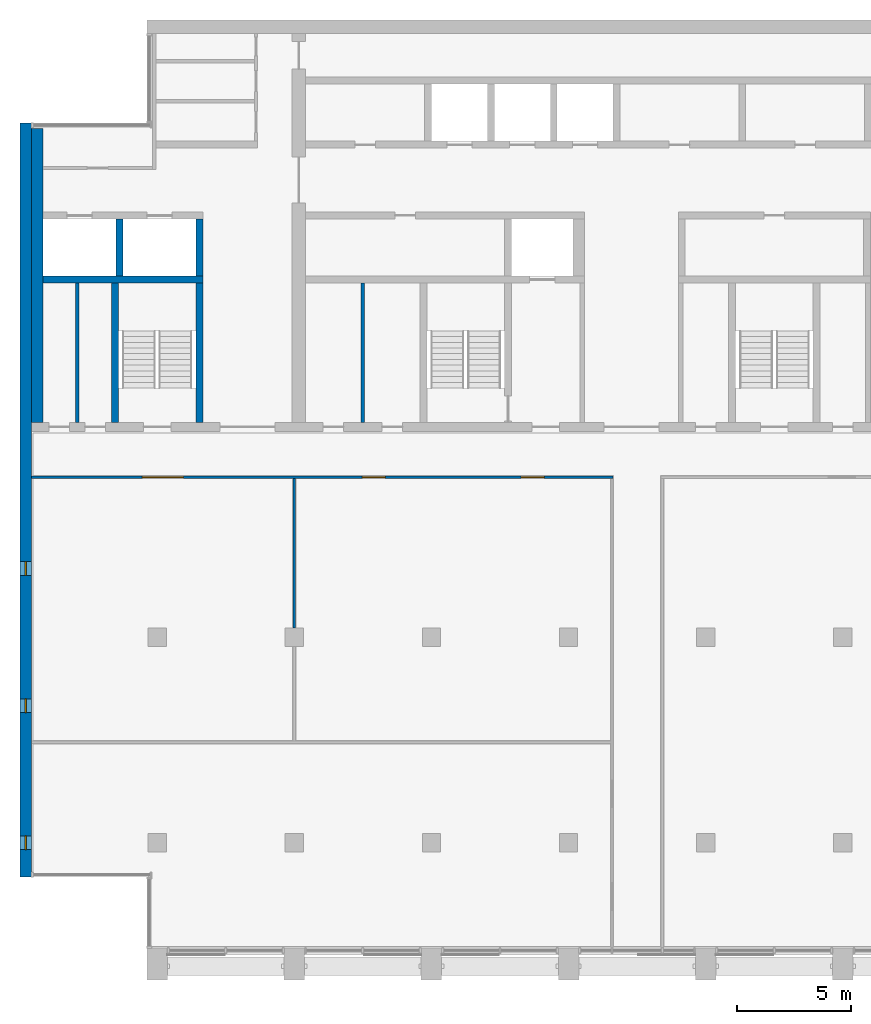
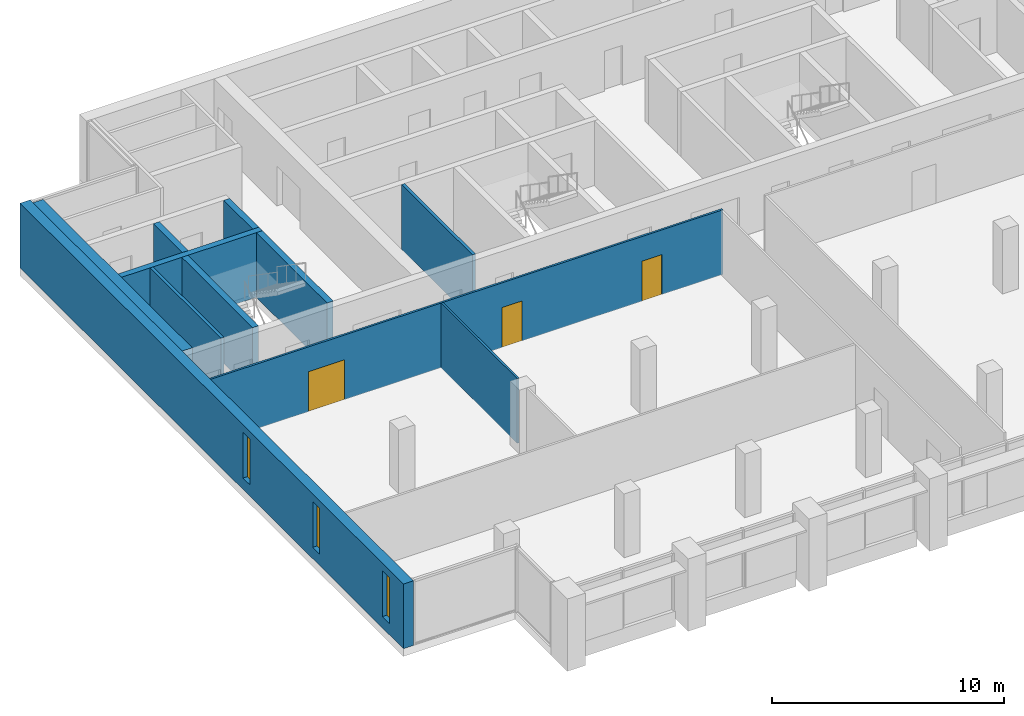
# One storey, part 7 of 14: 11 walls, 3 doors, 3 windows, 6 openings.
"""IFC4 building model written with IfcOpenShell, lengths in metres."""

from ifc_helpers import new_model, si_unit, direction, frame, frame_2d, origin, place, context, subcontext, project, spatial, rectangle, extrude, material, layer, layer_set, type_object, element, fill, save


model = new_model("IFC4")

# Units and contexts
model_context = context("Model", 3, precision=1e-05, world=origin(), true_north=direction((0.0, 1.0)))
body_context = subcontext(model_context, "Body", "Model", "MODEL_VIEW")
ifc_project = project(units=[si_unit("LENGTHUNIT", "METRE"), si_unit("AREAUNIT", "SQUARE_METRE"), si_unit("VOLUMEUNIT", "CUBIC_METRE"), si_unit("PLANEANGLEUNIT", "RADIAN"), si_unit("MASSUNIT", "GRAM", prefix="KILO")], contexts=[model_context])

# Site, building, storey
site_placement = place(None, origin())
site = spatial("IfcSite", under=ifc_project, at=site_placement, CompositionType="ELEMENT")
building_placement = place(site_placement, origin())
building = spatial("IfcBuilding", under=site, at=building_placement, Name="Calvaro Tower", CompositionType="ELEMENT")
storey_placement = place(building_placement, frame((0.0, 0.0, 254.550048828125)))
storey = spatial("IfcBuildingStorey", under=building, at=storey_placement, Name="L64", CompositionType="ELEMENT", Elevation=254.550048828125)

# Walls
ifc_material_1 = material(Name="Blockwork partition", Category="masonry")
ifc_layer_1 = layer(ifc_material_1, 0.14990234375)
ifc_layer_set_1 = layer_set([ifc_layer_1], Name="Blockwork partition")
wall_type_1 = type_object("IfcWallType", Name="Core partition 150 EI 60", PredefinedType="PARTITIONING", material=ifc_layer_set_1)
wall_1_placement = place(storey_placement, frame((21.0, 28.39990234375, 0.0), z_axis=(0.0, 0.0, 1.0), x_axis=(0.0, 1.0, 0.0)))
element("IfcWall", 1, at=wall_1_placement, inside=storey, type_object=wall_type_1, Name="Core partition", PredefinedType="PARTITIONING", context=body_context, shape_type="SweptSolid", body=[
    extrude(rectangle(XDim=6.10009765625, YDim=0.14990234375, at=frame_2d((3.050048828125, 0.0))), origin(), (0.0, 0.0, 1.0), 3.39990234375),
])
ifc_material_2 = material(Name="Blockwork partition", Category="masonry")
ifc_layer_2 = layer(ifc_material_2, 0.14990234375)
ifc_layer_set_2 = layer_set([ifc_layer_2], Name="Blockwork partition")
wall_type_2 = type_object("IfcWallType", Name="Core partition 150 REI 120", PredefinedType="PARTITIONING", material=ifc_layer_set_2)
wall_2_placement = place(storey_placement, frame((8.5, 28.39990234375, 0.0), z_axis=(0.0, 0.0, 1.0), x_axis=(0.0, 1.0, 0.0)))
element("IfcWall", 2, at=wall_2_placement, inside=storey, type_object=wall_type_2, Name="Core partition", PredefinedType="PARTITIONING", context=body_context, shape_type="SweptSolid", body=[
    extrude(rectangle(XDim=6.10009765625, YDim=0.14990234375, at=frame_2d((3.050048828125, 0.0))), origin(), (0.0, 0.0, 1.0), 3.39990234375),
])
ifc_material_3 = material(Name="Concrete C40/50", Category="concrete")
ifc_layer_3 = layer(ifc_material_3, 0.300048828125)
ifc_layer_set_3 = layer_set([ifc_layer_3], Name="Concrete C40/50")
wall_type_3 = type_object("IfcWallType", Name="Core wall C40/50 300", PredefinedType="SHEAR", material=ifc_layer_set_3)
for number, where, z_axis, x_axis, name in (
    (3, (10.14990234375, 28.39990234375, 0.0), (0.0, 0.0, 1.0), (0.0, 1.0, 0.0), "Core wall, stair enclosure"),
    (4, (13.85009765625, 28.39990234375, 0.0), (0.0, 0.0, 1.0), (0.0, 1.0, 0.0), "Core wall, stair enclosure"),
):
    element("IfcWall", number, at=place(storey_placement, frame(where, z_axis=z_axis, x_axis=x_axis)), inside=storey, type_object=wall_type_3, Name=name, PredefinedType="SHEAR", context=body_context, shape_type="SweptSolid", body=[
        extrude(rectangle(XDim=6.10009765625, YDim=0.300048828125, at=frame_2d((3.050048828125, 0.0))), origin(), (0.0, 0.0, 1.0), 3.39990234375),
    ])
wall_3_placement = place(storey_placement, frame((7.0, 34.64990234375, 0.0), z_axis=(0.0, 0.0, 1.0), x_axis=(1.0, 0.0, 0.0)))
element("IfcWall", 5, at=wall_3_placement, inside=storey, type_object=wall_type_3, Name="Core wall, lift shaft", PredefinedType="SHEAR", context=body_context, shape_type="SweptSolid", body=[
    extrude(rectangle(XDim=7.0, YDim=0.300048828125, at=frame_2d((3.5, 0.0))), origin(), (0.0, 0.0, 1.0), 3.39990234375),
])
for number, where, z_axis, x_axis, name in (
    (6, (13.85009765625, 34.800048828125, 0.0), (0.0, 0.0, 1.0), (0.0, 1.0, 0.0), "Core wall, lift shaft"),
    (7, (10.35009765625, 34.800048828125, 0.0), (0.0, 0.0, 1.0), (0.0, 1.0, 0.0), "Core wall, lift shaft"),
):
    element("IfcWall", number, at=place(storey_placement, frame(where, z_axis=z_axis, x_axis=x_axis)), inside=storey, type_object=wall_type_3, Name=name, PredefinedType="SHEAR", context=body_context, shape_type="SweptSolid", body=[
        extrude(rectangle(XDim=2.5, YDim=0.300048828125, at=frame_2d((1.25, 0.0))), origin(), (0.0, 0.0, 1.0), 3.39990234375),
    ])
ifc_material_4 = material(Name="Concrete C40/50", Category="concrete")
ifc_layer_4 = layer(ifc_material_4, 0.5)
ifc_layer_set_4 = layer_set([ifc_layer_4], Name="Concrete C40/50")
wall_type_4 = type_object("IfcWallType", Name="Core wall C40/50 500", PredefinedType="SHEAR", material=ifc_layer_set_4)
wall_4_placement = place(storey_placement, frame((6.75, 28.39990234375, 0.0), z_axis=(0.0, 0.0, 1.0), x_axis=(0.0, 1.0, 0.0)))
element("IfcWall", 8, at=wall_4_placement, inside=storey, type_object=wall_type_4, Name="Core wall, boundary", PredefinedType="SHEAR", context=body_context, shape_type="SweptSolid", body=[
    extrude(rectangle(XDim=12.85009765625, YDim=0.5, at=frame_2d((6.425048828125, 0.0))), origin(), (0.0, 0.0, 1.0), 3.39990234375),
])

# Wall, openings, windows
ifc_material_5 = material(Name="Concrete C40/50", Category="concrete")
ifc_layer_5 = layer(ifc_material_5, 0.5)
ifc_layer_set_5 = layer_set([ifc_layer_5], Name="Concrete C40/50")
wall_type_5 = type_object("IfcWallType", Name="End wall 500 C40/50", PredefinedType="SHEAR", material=ifc_layer_set_5)
wall_5_placement = place(storey_placement, frame((6.25, 8.5, 0.0), z_axis=(0.0, 0.0, 1.0), x_axis=(0.0, 1.0, 0.0)))
wall_5 = element("IfcWall", 9, at=wall_5_placement, inside=storey, type_object=wall_type_5, Name="End shear wall", PredefinedType="SHEAR", context=body_context, shape_type="SweptSolid", body=[
    extrude(rectangle(XDim=33.0, YDim=0.5, at=frame_2d((16.5, 0.0))), origin(), (0.0, 0.0, 1.0), 3.39990234375),
])
opening_1_placement = place(wall_5_placement, frame((1.199951171875, 0.0, 0.60009765625)))
opening_1 = element("IfcOpeningElement", 10, at=opening_1_placement, cuts=wall_5, Name="Opening WW01", PredefinedType="OPENING", context=body_context, shape_type="SweptSolid", body=[
    extrude(rectangle(XDim=0.60009765625, YDim=2.39990234375, at=frame_2d((0.300048828125, 1.199951171875))), frame((0.0, 0.260009765625, 0.0), z_axis=(0.0, -1.0, 0.0), x_axis=(1.0, 0.0, 0.0)), (0.0, 0.0, 1.0), 0.52001953125),
])
opening_2_placement = place(wall_5_placement, frame((7.199951171875, 0.0, 0.60009765625)))
opening_2 = element("IfcOpeningElement", 11, at=opening_2_placement, cuts=wall_5, Name="Opening WW02", PredefinedType="OPENING", context=body_context, shape_type="SweptSolid", body=[
    extrude(rectangle(XDim=0.60009765625, YDim=2.39990234375, at=frame_2d((0.300048828125, 1.199951171875))), frame((0.0, 0.260009765625, 0.0), z_axis=(0.0, -1.0, 0.0), x_axis=(1.0, 0.0, 0.0)), (0.0, 0.0, 1.0), 0.52001953125),
])
opening_3_placement = place(wall_5_placement, frame((13.199951171875, 0.0, 0.60009765625)))
opening_3 = element("IfcOpeningElement", 12, at=opening_3_placement, cuts=wall_5, Name="Opening WW03", PredefinedType="OPENING", context=body_context, shape_type="SweptSolid", body=[
    extrude(rectangle(XDim=0.60009765625, YDim=2.39990234375, at=frame_2d((0.300048828125, 1.199951171875))), frame((0.0, 0.260009765625, 0.0), z_axis=(0.0, -1.0, 0.0), x_axis=(1.0, 0.0, 0.0)), (0.0, 0.0, 1.0), 0.52001953125),
])
ifc_material_6 = material(Name="Glass", Category="glass")
window_type = type_object("IfcWindowType", Name="Slit window 600 x 2400", PartitioningType="SINGLE_PANEL", PredefinedType="WINDOW", material=ifc_material_6)
window_1_placement = place(opening_1_placement, origin())
window_1 = element("IfcWindow", 13, at=window_1_placement, inside=storey, type_object=window_type, Name="Window WW01", OverallHeight=2.39990234375, OverallWidth=0.60009765625, PartitioningType="SINGLE_PANEL", PredefinedType="WINDOW", context=body_context, shape_type="SweptSolid", body=[
    extrude(rectangle(XDim=0.60009765625, YDim=2.39990234375, at=frame_2d((0.300048828125, 1.199951171875))), frame((0.0, 0.030029296875, 0.0), z_axis=(0.0, -1.0, 0.0), x_axis=(1.0, 0.0, 0.0)), (0.0, 0.0, 1.0), 0.06005859375),
])
fill(opening_1, window_1)
window_2_placement = place(opening_2_placement, origin())
window_2 = element("IfcWindow", 14, at=window_2_placement, inside=storey, type_object=window_type, Name="Window WW02", OverallHeight=2.39990234375, OverallWidth=0.60009765625, PartitioningType="SINGLE_PANEL", PredefinedType="WINDOW", context=body_context, shape_type="SweptSolid", body=[
    extrude(rectangle(XDim=0.60009765625, YDim=2.39990234375, at=frame_2d((0.300048828125, 1.199951171875))), frame((0.0, 0.030029296875, 0.0), z_axis=(0.0, -1.0, 0.0), x_axis=(1.0, 0.0, 0.0)), (0.0, 0.0, 1.0), 0.06005859375),
])
fill(opening_2, window_2)
window_3_placement = place(opening_3_placement, origin())
window_3 = element("IfcWindow", 15, at=window_3_placement, inside=storey, type_object=window_type, Name="Window WW03", OverallHeight=2.39990234375, OverallWidth=0.60009765625, PartitioningType="SINGLE_PANEL", PredefinedType="WINDOW", context=body_context, shape_type="SweptSolid", body=[
    extrude(rectangle(XDim=0.60009765625, YDim=2.39990234375, at=frame_2d((0.300048828125, 1.199951171875))), frame((0.0, 0.030029296875, 0.0), z_axis=(0.0, -1.0, 0.0), x_axis=(1.0, 0.0, 0.0)), (0.0, 0.0, 1.0), 0.06005859375),
])
fill(opening_3, window_3)

# Wall, openings, doors
ifc_material_7 = material(Name="Plasterboard on steel studs", Category="steel")
ifc_layer_6 = layer(ifc_material_7, 0.10009765625)
ifc_layer_set_6 = layer_set([ifc_layer_6], Name="Plasterboard on steel studs")
wall_type_6 = type_object("IfcWallType", Name="Partition 100 REI 120", PredefinedType="PARTITIONING", material=ifc_layer_set_6)
wall_6_placement = place(storey_placement, frame((6.5, 26.0, 0.0), z_axis=(0.0, 0.0, 1.0), x_axis=(1.0, 0.0, 0.0)))
wall_6 = element("IfcWall", 16, at=wall_6_placement, inside=storey, type_object=wall_type_6, Name="Partition T36.W002", PredefinedType="PARTITIONING", context=body_context, shape_type="SweptSolid", body=[
    extrude(rectangle(XDim=25.449951171875, YDim=0.10009765625, at=frame_2d((12.72509765625, 0.0))), origin(), (0.0, 0.0, 1.0), 3.39990234375),
])
opening_4_placement = place(wall_6_placement, frame((4.85009765625, 0.0, 0.0)))
opening_4 = element("IfcOpeningElement", 17, at=opening_4_placement, cuts=wall_6, Name="Opening T36.005", PredefinedType="OPENING", context=body_context, shape_type="SweptSolid", body=[
    extrude(rectangle(XDim=1.800048828125, YDim=2.10009765625, at=frame_2d((0.89990234375, 1.050048828125))), frame((0.0, 0.06005859375, 0.0), z_axis=(0.0, -1.0, 0.0), x_axis=(1.0, 0.0, 0.0)), (0.0, 0.0, 1.0), 0.1201171875),
])
opening_5_placement = place(wall_6_placement, frame((14.47509765625, 0.0, 0.0)))
opening_5 = element("IfcOpeningElement", 18, at=opening_5_placement, cuts=wall_6, Name="Opening T36.006", PredefinedType="OPENING", context=body_context, shape_type="SweptSolid", body=[
    extrude(rectangle(XDim=1.0, YDim=2.10009765625, at=frame_2d((0.5, 1.050048828125))), frame((0.0, 0.06005859375, 0.0), z_axis=(0.0, -1.0, 0.0), x_axis=(1.0, 0.0, 0.0)), (0.0, 0.0, 1.0), 0.1201171875),
])
opening_6_placement = place(wall_6_placement, frame((21.425048828125, 0.0, 0.0)))
opening_6 = element("IfcOpeningElement", 19, at=opening_6_placement, cuts=wall_6, Name="Opening T36.007", PredefinedType="OPENING", context=body_context, shape_type="SweptSolid", body=[
    extrude(rectangle(XDim=1.0, YDim=2.10009765625, at=frame_2d((0.5, 1.050048828125))), frame((0.0, 0.06005859375, 0.0), z_axis=(0.0, -1.0, 0.0), x_axis=(1.0, 0.0, 0.0)), (0.0, 0.0, 1.0), 0.1201171875),
])
ifc_material_8 = material(Name="Timber", Category="wood")
door_type_1 = type_object("IfcDoorType", Name="Internal double door 1800 x 2100", OperationType="DOUBLE_DOOR_SINGLE_SWING", PredefinedType="DOOR", material=ifc_material_8)
door_1_placement = place(opening_4_placement, origin())
door_1 = element("IfcDoor", 20, at=door_1_placement, inside=storey, type_object=door_type_1, Name="Door T36.005", OperationType="DOUBLE_DOOR_SINGLE_SWING", OverallHeight=2.10009765625, OverallWidth=1.800048828125, PredefinedType="DOOR", context=body_context, shape_type="SweptSolid", body=[
    extrude(rectangle(XDim=1.800048828125, YDim=2.10009765625, at=frame_2d((0.89990234375, 1.050048828125))), frame((0.0, 0.02490234375, 0.0), z_axis=(0.0, -1.0, 0.0), x_axis=(1.0, 0.0, 0.0)), (0.0, 0.0, 1.0), 0.050048828125),
])
fill(opening_4, door_1)
ifc_material_9 = material(Name="Timber", Category="wood")
door_type_2 = type_object("IfcDoorType", Name="Internal single door 1000 x 2100 FD60", OperationType="SINGLE_SWING_LEFT", PredefinedType="DOOR", material=ifc_material_9)
door_2_placement = place(opening_5_placement, origin())
door_2 = element("IfcDoor", 21, at=door_2_placement, inside=storey, type_object=door_type_2, Name="Door T36.006", OperationType="SINGLE_SWING_RIGHT", OverallHeight=2.10009765625, OverallWidth=1.0, PredefinedType="DOOR", context=body_context, shape_type="SweptSolid", body=[
    extrude(rectangle(XDim=1.0, YDim=2.10009765625, at=frame_2d((0.5, 1.050048828125))), frame((0.0, 0.02490234375, 0.0), z_axis=(0.0, -1.0, 0.0), x_axis=(1.0, 0.0, 0.0)), (0.0, 0.0, 1.0), 0.050048828125),
])
fill(opening_5, door_2)
door_3_placement = place(opening_6_placement, origin())
door_3 = element("IfcDoor", 22, at=door_3_placement, inside=storey, type_object=door_type_2, Name="Door T36.007", OperationType="SINGLE_SWING_RIGHT", OverallHeight=2.10009765625, OverallWidth=1.0, PredefinedType="DOOR", context=body_context, shape_type="SweptSolid", body=[
    extrude(rectangle(XDim=1.0, YDim=2.10009765625, at=frame_2d((0.5, 1.050048828125))), frame((0.0, 0.02490234375, 0.0), z_axis=(0.0, -1.0, 0.0), x_axis=(1.0, 0.0, 0.0)), (0.0, 0.0, 1.0), 0.050048828125),
])
fill(opening_6, door_3)

# Wall
wall_7_placement = place(storey_placement, frame((18.0, 19.39990234375, 0.0), z_axis=(0.0, 0.0, 1.0), x_axis=(0.0, 1.0, 0.0)))
element("IfcWall", 23, at=wall_7_placement, inside=storey, type_object=wall_type_6, Name="Partition T36.W005", PredefinedType="PARTITIONING", context=body_context, shape_type="SweptSolid", body=[
    extrude(rectangle(XDim=6.550048828125, YDim=0.10009765625, at=frame_2d((3.27490234375, 0.0))), origin(), (0.0, 0.0, 1.0), 3.39990234375),
])

save(model, "model.ifc")
